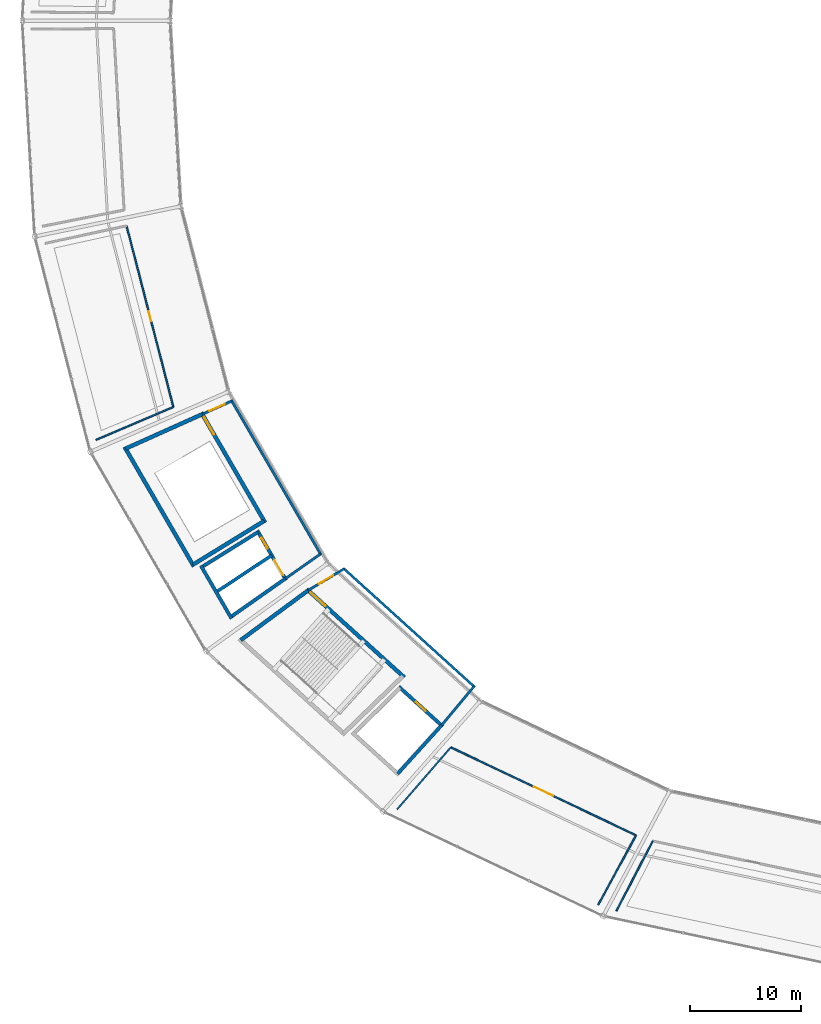
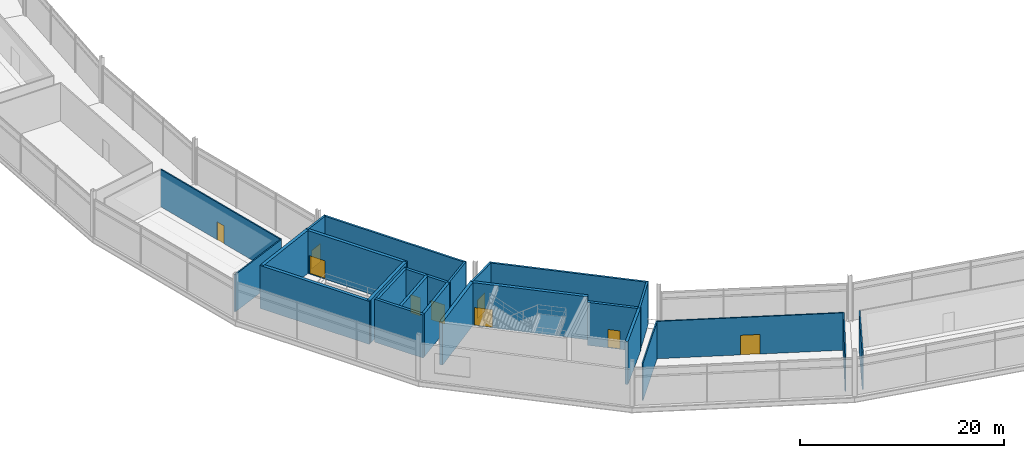
# One storey, part 67 of 86: 25 walls, 9 doors, 9 openings.
"""IFC4 building model written with IfcOpenShell, lengths in metres."""

from ifc_helpers import new_model, si_unit, direction, frame, frame_2d, origin, place, context, subcontext, project, spatial, rectangle, extrude, material, layer, layer_set, type_object, element, fill, save


model = new_model("IFC4")

# Units and contexts
model_context = context("Model", 3, precision=1e-05, world=origin(), true_north=direction((0.0, 1.0)))
body_context = subcontext(model_context, "Body", "Model", "MODEL_VIEW")
ifc_project = project(units=[si_unit("LENGTHUNIT", "METRE"), si_unit("AREAUNIT", "SQUARE_METRE"), si_unit("VOLUMEUNIT", "CUBIC_METRE"), si_unit("PLANEANGLEUNIT", "RADIAN"), si_unit("MASSUNIT", "GRAM", prefix="KILO")], contexts=[model_context])

# Site, building, storey
site_placement = place(None, origin())
site = spatial("IfcSite", under=ifc_project, at=site_placement, CompositionType="ELEMENT")
building_placement = place(site_placement, origin())
building = spatial("IfcBuilding", under=site, at=building_placement, Name="Kazemori Nagisa Stadium", CompositionType="ELEMENT")
storey_placement = place(building_placement, frame((0.0, 0.0, 31.280029296875)))
storey = spatial("IfcBuildingStorey", under=building, at=storey_placement, Name="L06", CompositionType="ELEMENT", Elevation=31.280029296875)

# Wall, opening, door
ifc_material_1 = material(Name="Concrete C40/50 (Fc42)", Category="concrete")
ifc_layer_1 = layer(ifc_material_1, 0.35009765625, Name="Concrete C40/50 (Fc42)", Category="concrete")
ifc_layer_set_1 = layer_set([ifc_layer_1], Name="Concrete C40/50 (Fc42)")
wall_type_1 = type_object("IfcWallType", Name="Wall_W-CORE-350", PredefinedType="SHEAR", material=ifc_layer_set_1)
wall_1_placement = place(storey_placement, frame((44.090087890625, 66.78759765625, 0.0), z_axis=(0.0, 0.0, 1.0), x_axis=(0.501628624814, -0.865083072755, 0.0)))
wall_1 = element("IfcWall", 1, at=wall_1_placement, inside=storey, type_object=wall_type_1, Name="Core stair front shear wall ST09 L06", PredefinedType="SHEAR", context=body_context, shape_type="SweptSolid", body=[
    extrude(rectangle(XDim=11.435302734375, YDim=0.35009765625, at=frame_2d((5.7177734375, 0.0))), origin(), (0.0, 0.0, 1.0), 5.159912109375),
])
opening_1_placement = place(wall_1_placement, frame((0.47509765625, 0.0, 0.0)))
opening_1 = element("IfcOpeningElement", 2, at=opening_1_placement, cuts=wall_1, Name="Opening D-ST-1800", PredefinedType="OPENING", context=body_context, shape_type="SweptSolid", body=[
    extrude(rectangle(XDim=1.800048828125, YDim=2.199951171875, at=frame_2d((0.89990234375, 1.10009765625))), frame((0.0, 0.18505859375, 0.0), z_axis=(0.0, -1.0, 0.0), x_axis=(1.0, 0.0, 0.0)), (0.0, 0.0, 1.0), 0.3701171875),
])
ifc_material_2 = material(Name="Galvanised steel sheet", Category="steel")
door_type_1 = type_object("IfcDoorType", Name="Door_D-ST-1800", OperationType="NOTDEFINED", PredefinedType="DOOR", material=ifc_material_2)
door_1_placement = place(opening_1_placement, frame((1.800048828125, 0.0, 0.0), z_axis=(0.0, 0.0, 1.0), x_axis=(-1.0, 0.0, 0.0)))
door_1 = element("IfcDoor", 3, at=door_1_placement, inside=storey, type_object=door_type_1, Name="Exit stair fire door ST09-L06", OperationType="SINGLE_SWING_LEFT", OverallHeight=2.199951171875, OverallWidth=1.800048828125, PredefinedType="DOOR", context=body_context, shape_type="SweptSolid", body=[
    extrude(rectangle(XDim=1.800048828125, YDim=2.199951171875, at=frame_2d((0.89990234375, 1.10009765625))), frame((0.0, 0.02490234375, 0.0), z_axis=(0.0, -1.0, 0.0), x_axis=(1.0, 0.0, 0.0)), (0.0, 0.0, 1.0), 0.050048828125),
])
fill(opening_1, door_1)

# Walls
wall_2_placement = place(storey_placement, frame((37.19775390625, 63.6953125, 0.0), z_axis=(0.0, 0.0, 1.0), x_axis=(0.501601740165, -0.865098661577, 0.0)))
element("IfcWall", 4, at=wall_2_placement, inside=storey, type_object=wall_type_1, Name="Core stair rear shear wall ST09 L06", PredefinedType="SHEAR", context=body_context, shape_type="SweptSolid", body=[
    extrude(rectangle(XDim=12.404541015625, YDim=0.35009765625, at=frame_2d((6.2021484375, 0.0))), origin(), (0.0, 0.0, 1.0), 5.159912109375),
])
wall_3_placement = place(storey_placement, frame((44.177978515625, 66.63623046875, 0.0), z_axis=(0.0, 0.0, 1.0), x_axis=(-0.912385324524, -0.409332407212, 0.0)))
element("IfcWall", 5, at=wall_3_placement, inside=storey, type_object=wall_type_1, Name="Core stair left shear wall ST09 L06", PredefinedType="SHEAR", context=body_context, shape_type="SweptSolid", body=[
    extrude(rectangle(XDim=7.554443359375, YDim=0.35009765625, at=frame_2d((3.77734375, 0.0))), origin(), (0.0, 0.0, 1.0), 5.159912109375),
])
wall_4_placement = place(storey_placement, frame((49.738525390625, 57.04638671875, 0.0), z_axis=(0.0, 0.0, 1.0), x_axis=(-0.852334575619, -0.522996913188, 0.0)))
element("IfcWall", 6, at=wall_4_placement, inside=storey, type_object=wall_type_1, Name="Core stair right shear wall ST09 L06", PredefinedType="SHEAR", context=body_context, shape_type="SweptSolid", body=[
    extrude(rectangle(XDim=7.51611328125, YDim=0.35009765625, at=frame_2d((3.758056640625, 0.0))), origin(), (0.0, 0.0, 1.0), 5.159912109375),
])

# Wall, opening, door
wall_5_placement = place(storey_placement, frame((53.561279296875, 50.927978515625, 0.0), z_axis=(0.0, 0.0, 1.0), x_axis=(0.741358227035, -0.671109513572, 0.0)))
wall_5 = element("IfcWall", 7, at=wall_5_placement, inside=storey, type_object=wall_type_1, Name="Core stair front shear wall ST03 L06", PredefinedType="SHEAR", context=body_context, shape_type="SweptSolid", body=[
    extrude(rectangle(XDim=11.82666015625, YDim=0.35009765625, at=frame_2d((5.913330078125, 0.0))), origin(), (0.0, 0.0, 1.0), 5.159912109375),
])
opening_2_placement = place(wall_5_placement, frame((0.47509765625, 0.0, 0.0)))
opening_2 = element("IfcOpeningElement", 8, at=opening_2_placement, cuts=wall_5, Name="Opening D-ST-1800", PredefinedType="OPENING", context=body_context, shape_type="SweptSolid", body=[
    extrude(rectangle(XDim=1.800048828125, YDim=2.199951171875, at=frame_2d((0.89990234375, 1.10009765625))), frame((0.0, 0.18505859375, 0.0), z_axis=(0.0, -1.0, 0.0), x_axis=(1.0, 0.0, 0.0)), (0.0, 0.0, 1.0), 0.3701171875),
])
door_2_placement = place(opening_2_placement, frame((1.800048828125, 0.0, 0.0), z_axis=(0.0, 0.0, 1.0), x_axis=(-1.0, 0.0, 0.0)))
door_2 = element("IfcDoor", 9, at=door_2_placement, inside=storey, type_object=door_type_1, Name="Exit stair fire door ST03-L06", OperationType="SINGLE_SWING_LEFT", OverallHeight=2.199951171875, OverallWidth=1.800048828125, PredefinedType="DOOR", context=body_context, shape_type="SweptSolid", body=[
    extrude(rectangle(XDim=1.800048828125, YDim=2.199951171875, at=frame_2d((0.89990234375, 1.10009765625))), frame((0.0, 0.02490234375, 0.0), z_axis=(0.0, -1.0, 0.0), x_axis=(1.0, 0.0, 0.0)), (0.0, 0.0, 1.0), 0.050048828125),
])
fill(opening_2, door_2)

# Walls
wall_6_placement = place(storey_placement, frame((53.691162109375, 50.810546875, 0.0), z_axis=(0.0, 0.0, 1.0), x_axis=(-0.804395625347, -0.594093997548, 0.0)))
element("IfcWall", 10, at=wall_6_placement, inside=storey, type_object=wall_type_1, Name="Core stair left shear wall ST03 L06", PredefinedType="SHEAR", context=body_context, shape_type="SweptSolid", body=[
    extrude(rectangle(XDim=7.5341796875, YDim=0.35009765625, at=frame_2d((3.76708984375, 0.0))), origin(), (0.0, 0.0, 1.0), 5.159912109375),
])
ifc_material_3 = material(Name="Concrete C36/45 (Fc36)", Category="concrete")
ifc_layer_2 = layer(ifc_material_3, 0.219970703125, Name="Concrete C36/45 (Fc36)", Category="concrete")
ifc_layer_set_2 = layer_set([ifc_layer_2], Name="Concrete C36/45 (Fc36)")
wall_type_2 = type_object("IfcWallType", Name="Wall_W-LOBBY-220", PredefinedType="SOLIDWALL", material=ifc_layer_set_2)
wall_7_placement = place(storey_placement, frame((46.773681640625, 67.9208984375, 0.0), z_axis=(0.0, 0.0, 1.0), x_axis=(0.501612626242, -0.865092349518, 0.0)))
element("IfcWall", 11, at=wall_7_placement, inside=storey, type_object=wall_type_2, Name="Core lobby fire wall ST09 L06", PredefinedType="SOLIDWALL", context=body_context, shape_type="SweptSolid", body=[
    extrude(rectangle(XDim=16.110107421875, YDim=0.219970703125, at=frame_2d((8.05517578125, 0.0))), origin(), (0.0, 0.0, 1.0), 5.159912109375),
])

# Wall, opening, door
wall_8_placement = place(storey_placement, frame((46.8291015625, 67.82568359375, 0.0), z_axis=(0.0, 0.0, 1.0), x_axis=(-0.912378422162, -0.409347791949, 0.0)))
wall_8 = element("IfcWall", 12, at=wall_8_placement, inside=storey, type_object=wall_type_2, Name="Core lobby left wall ST09 L06", PredefinedType="SOLIDWALL", context=body_context, shape_type="SweptSolid", body=[
    extrude(rectangle(XDim=2.90576171875, YDim=0.219970703125, at=frame_2d((1.452880859375, 0.0))), origin(), (0.0, 0.0, 1.0), 5.159912109375),
])
opening_3_placement = place(wall_8_placement, frame((0.702880859375, 0.0, 0.0)))
opening_3 = element("IfcOpeningElement", 13, at=opening_3_placement, cuts=wall_8, Name="Opening D-FFL-1500", PredefinedType="OPENING", context=body_context, shape_type="SweptSolid", body=[
    extrude(rectangle(XDim=1.5, YDim=2.199951171875, at=frame_2d((0.75, 1.10009765625))), frame((0.0, 0.119873046875, 0.0), z_axis=(0.0, -1.0, 0.0), x_axis=(1.0, 0.0, 0.0)), (0.0, 0.0, 1.0), 0.239990234375),
])
door_type_2 = type_object("IfcDoorType", Name="Door_D-FFL-1500", OperationType="NOTDEFINED", PredefinedType="DOOR", material=ifc_material_2)
door_3_placement = place(opening_3_placement, frame((1.5, 0.0, 0.0), z_axis=(0.0, 0.0, 1.0), x_axis=(-1.0, 0.0, 0.0)))
door_3 = element("IfcDoor", 14, at=door_3_placement, inside=storey, type_object=door_type_2, Name="Protected lobby fire door ST09-L06", OperationType="DOUBLE_DOOR_SINGLE_SWING", OverallHeight=2.199951171875, OverallWidth=1.5, PredefinedType="DOOR", context=body_context, shape_type="SweptSolid", body=[
    extrude(rectangle(XDim=1.5, YDim=2.199951171875, at=frame_2d((0.75, 1.10009765625))), frame((0.0, 0.02490234375, 0.0), z_axis=(0.0, -1.0, 0.0), x_axis=(1.0, 0.0, 0.0)), (0.0, 0.0, 1.0), 0.050048828125),
])
fill(opening_3, door_3)

# Walls
wall_9_placement = place(storey_placement, frame((54.799560546875, 54.0791015625, 0.0), z_axis=(0.0, 0.0, 1.0), x_axis=(-0.818225400643, -0.574897550649, 0.0)))
element("IfcWall", 15, at=wall_9_placement, inside=storey, type_object=wall_type_2, Name="Core lobby right wall ST09 L06", PredefinedType="SOLIDWALL", context=body_context, shape_type="SweptSolid", body=[
    extrude(rectangle(XDim=3.867919921875, YDim=0.219970703125, at=frame_2d((1.93408203125, 0.0))), origin(), (0.0, 0.0, 1.0), 5.159912109375),
])
wall_10_placement = place(storey_placement, frame((56.833740234375, 52.8193359375, 0.0), z_axis=(0.0, 0.0, 1.0), x_axis=(0.741351035574, -0.671117457717, 0.0)))
element("IfcWall", 16, at=wall_10_placement, inside=storey, type_object=wall_type_2, Name="Core lobby fire wall ST03 L06", PredefinedType="SOLIDWALL", context=body_context, shape_type="SweptSolid", body=[
    extrude(rectangle(XDim=15.96923828125, YDim=0.219970703125, at=frame_2d((7.984619140625, 0.0))), origin(), (0.0, 0.0, 1.0), 5.159912109375),
])

# Wall, opening, door
wall_11_placement = place(storey_placement, frame((56.915283203125, 52.74560546875, 0.0), z_axis=(0.0, 0.0, 1.0), x_axis=(-0.857424171966, -0.514610327654, 0.0)))
wall_11 = element("IfcWall", 17, at=wall_11_placement, inside=storey, type_object=wall_type_2, Name="Core lobby left wall ST03 L06", PredefinedType="SOLIDWALL", context=body_context, shape_type="SweptSolid", body=[
    extrude(rectangle(XDim=3.76025390625, YDim=0.219970703125, at=frame_2d((1.880126953125, 0.0))), origin(), (0.0, 0.0, 1.0), 5.159912109375),
])
opening_4_placement = place(wall_11_placement, frame((1.1298828125, 0.0, 0.0)))
opening_4 = element("IfcOpeningElement", 18, at=opening_4_placement, cuts=wall_11, Name="Opening D-FFL-1500", PredefinedType="OPENING", context=body_context, shape_type="SweptSolid", body=[
    extrude(rectangle(XDim=1.5, YDim=2.199951171875, at=frame_2d((0.75, 1.10009765625))), frame((0.0, 0.119873046875, 0.0), z_axis=(0.0, -1.0, 0.0), x_axis=(1.0, 0.0, 0.0)), (0.0, 0.0, 1.0), 0.239990234375),
])
door_4_placement = place(opening_4_placement, frame((1.5, 0.0, 0.0), z_axis=(0.0, 0.0, 1.0), x_axis=(-1.0, 0.0, 0.0)))
door_4 = element("IfcDoor", 19, at=door_4_placement, inside=storey, type_object=door_type_2, Name="Protected lobby fire door ST03-L06", OperationType="DOUBLE_DOOR_SINGLE_SWING", OverallHeight=2.199951171875, OverallWidth=1.5, PredefinedType="DOOR", context=body_context, shape_type="SweptSolid", body=[
    extrude(rectangle(XDim=1.5, YDim=2.199951171875, at=frame_2d((0.75, 1.10009765625))), frame((0.0, 0.02490234375, 0.0), z_axis=(0.0, -1.0, 0.0), x_axis=(1.0, 0.0, 0.0)), (0.0, 0.0, 1.0), 0.050048828125),
])
fill(opening_4, door_4)

# Wall
wall_12_placement = place(storey_placement, frame((68.591064453125, 42.176025390625, 0.0), z_axis=(0.0, 0.0, 1.0), x_axis=(-0.640759627034, -0.767741558315, 0.0)))
element("IfcWall", 20, at=wall_12_placement, inside=storey, type_object=wall_type_2, Name="Core lobby right wall ST03 L06", PredefinedType="SOLIDWALL", context=body_context, shape_type="SweptSolid", body=[
    extrude(rectangle(XDim=4.549072265625, YDim=0.219970703125, at=frame_2d((2.2744140625, 0.0))), origin(), (0.0, 0.0, 1.0), 5.159912109375),
])

# Wall, opening, door
ifc_material_4 = material(Name="Gypsum plasterboard", Category="gypsum")
ifc_layer_3 = layer(ifc_material_4, 0.139892578125, Name="Gypsum plasterboard", Category="gypsum")
ifc_layer_set_3 = layer_set([ifc_layer_3], Name="Gypsum plasterboard")
wall_type_3 = type_object("IfcWallType", Name="Wall_W-PART-140", PredefinedType="PARTITIONING", material=ifc_layer_set_3)
wall_13_placement = place(storey_placement, frame((37.37548828125, 83.56298828125, 0.0), z_axis=(0.0, 0.0, 1.0), x_axis=(0.249966328054, -0.968254529986, 0.0)))
wall_13 = element("IfcWall", 21, at=wall_13_placement, inside=storey, type_object=wall_type_3, Name="Room corridor partition L06-B16", PredefinedType="PARTITIONING", context=body_context, shape_type="SweptSolid", body=[
    extrude(rectangle(XDim=16.805908203125, YDim=0.139892578125, at=frame_2d((8.40283203125, 0.0))), origin(), (0.0, 0.0, 1.0), 4.47998046875),
])
opening_5_placement = place(wall_13_placement, frame((7.943115234375, 0.0, 0.0)))
opening_5 = element("IfcOpeningElement", 22, at=opening_5_placement, cuts=wall_13, Name="Opening D-COM-920", PredefinedType="OPENING", context=body_context, shape_type="SweptSolid", body=[
    extrude(rectangle(XDim=0.919921875, YDim=2.14990234375, at=frame_2d((0.4599609375, 1.074951171875))), frame((0.0, 0.079833984375, 0.0), z_axis=(0.0, -1.0, 0.0), x_axis=(1.0, 0.0, 0.0)), (0.0, 0.0, 1.0), 0.159912109375),
])
ifc_material_5 = material(Name="Oak timber veneer", Category="wood")
door_type_3 = type_object("IfcDoorType", Name="Door_D-COM-920", OperationType="NOTDEFINED", PredefinedType="DOOR", material=ifc_material_5)
door_5_placement = place(opening_5_placement, origin())
door_5 = element("IfcDoor", 23, at=door_5_placement, inside=storey, type_object=door_type_3, Name="Room entrance door D-COM-920 L06-B16", OperationType="SINGLE_SWING_RIGHT", OverallHeight=2.14990234375, OverallWidth=0.919921875, PredefinedType="DOOR", context=body_context, shape_type="SweptSolid", body=[
    extrude(rectangle(XDim=0.919921875, YDim=2.14990234375, at=frame_2d((0.4599609375, 1.074951171875))), frame((0.0, 0.02490234375, 0.0), z_axis=(0.0, -1.0, 0.0), x_axis=(1.0, 0.0, 0.0)), (0.0, 0.0, 1.0), 0.050048828125),
])
fill(opening_5, door_5)

# Wall
wall_14_placement = place(storey_placement, frame((41.576416015625, 67.29052734375, 0.0), z_axis=(0.0, 0.0, 1.0), x_axis=(-0.919898990597, -0.39215538642, 0.0)))
element("IfcWall", 24, at=wall_14_placement, inside=storey, type_object=wall_type_3, Name="Room radial partition L06-B16-R", PredefinedType="PARTITIONING", context=body_context, shape_type="SweptSolid", body=[
    extrude(rectangle(XDim=7.553466796875, YDim=0.139892578125, at=frame_2d((3.77685546875, 0.0))), origin(), (0.0, 0.0, 1.0), 4.47998046875),
])

# Wall, opening, door
wall_15_placement = place(storey_placement, frame((66.509033203125, 36.708251953125, 0.0), z_axis=(0.0, 0.0, 1.0), x_axis=(0.90321677741, -0.429184637429, 0.0)))
wall_15 = element("IfcWall", 25, at=wall_15_placement, inside=storey, type_object=wall_type_3, Name="Room corridor partition L06-B19", PredefinedType="PARTITIONING", context=body_context, shape_type="SweptSolid", body=[
    extrude(rectangle(XDim=18.42724609375, YDim=0.139892578125, at=frame_2d((9.213623046875, 0.0))), origin(), (0.0, 0.0, 1.0), 4.47998046875),
])
opening_6_placement = place(wall_15_placement, frame((8.263916015625, 0.0, 0.0)))
opening_6 = element("IfcOpeningElement", 26, at=opening_6_placement, cuts=wall_15, Name="Opening D-PRS-1900", PredefinedType="OPENING", context=body_context, shape_type="SweptSolid", body=[
    extrude(rectangle(XDim=1.89990234375, YDim=2.35009765625, at=frame_2d((0.949951171875, 1.175048828125))), frame((0.0, 0.079833984375, 0.0), z_axis=(0.0, -1.0, 0.0), x_axis=(1.0, 0.0, 0.0)), (0.0, 0.0, 1.0), 0.159912109375),
])
door_type_4 = type_object("IfcDoorType", Name="Door_D-PRS-1900", OperationType="NOTDEFINED", PredefinedType="DOOR", material=ifc_material_5)
door_6_placement = place(opening_6_placement, origin())
door_6 = element("IfcDoor", 27, at=door_6_placement, inside=storey, type_object=door_type_4, Name="Room entrance door D-PRS-1900 L06-B19", OperationType="DOUBLE_DOOR_SINGLE_SWING", OverallHeight=2.35009765625, OverallWidth=1.89990234375, PredefinedType="DOOR", context=body_context, shape_type="SweptSolid", body=[
    extrude(rectangle(XDim=1.89990234375, YDim=2.35009765625, at=frame_2d((0.949951171875, 1.175048828125))), frame((0.0, 0.02490234375, 0.0), z_axis=(0.0, -1.0, 0.0), x_axis=(1.0, 0.0, 0.0)), (0.0, 0.0, 1.0), 0.050048828125),
])
fill(opening_6, door_6)

# Walls
wall_16_placement = place(storey_placement, frame((66.509033203125, 36.708251953125, 0.0), z_axis=(0.0, 0.0, 1.0), x_axis=(-0.654288201841, -0.7562452968, 0.0)))
element("IfcWall", 28, at=wall_16_placement, inside=storey, type_object=wall_type_3, Name="Room radial partition L06-B19-L", PredefinedType="PARTITIONING", context=body_context, shape_type="SweptSolid", body=[
    extrude(rectangle(XDim=7.367919921875, YDim=0.139892578125, at=frame_2d((3.68408203125, 0.0))), origin(), (0.0, 0.0, 1.0), 4.47998046875),
])
wall_17_placement = place(storey_placement, frame((83.15283203125, 28.799560546875, 0.0), z_axis=(0.0, 0.0, 1.0), x_axis=(-0.47812325427, -0.878292749444, 0.0)))
element("IfcWall", 29, at=wall_17_placement, inside=storey, type_object=wall_type_3, Name="Room radial partition L06-B19-R", PredefinedType="PARTITIONING", context=body_context, shape_type="SweptSolid", body=[
    extrude(rectangle(XDim=7.112548828125, YDim=0.139892578125, at=frame_2d((3.55615234375, 0.0))), origin(), (0.0, 0.0, 1.0), 4.47998046875),
])
wall_18_placement = place(storey_placement, frame((84.657958984375, 28.290283203125, 0.0), z_axis=(0.0, 0.0, 1.0), x_axis=(-0.461466568794, -0.887157599238, 0.0)))
element("IfcWall", 30, at=wall_18_placement, inside=storey, type_object=wall_type_3, Name="Room radial partition L06-B20-L", PredefinedType="PARTITIONING", context=body_context, shape_type="SweptSolid", body=[
    extrude(rectangle(XDim=7.09033203125, YDim=0.139892578125, at=frame_2d((3.545166015625, 0.0))), origin(), (0.0, 0.0, 1.0), 4.47998046875),
])

# Wall, openings, doors
ifc_layer_4 = layer(ifc_material_1, 0.300048828125, Name="Concrete C40/50 (Fc42)", Category="concrete")
ifc_layer_set_4 = layer_set([ifc_layer_4], Name="Concrete C40/50 (Fc42)")
wall_type_4 = type_object("IfcWallType", Name="Wall_W-SHAFT-300", PredefinedType="SHEAR", material=ifc_layer_set_4)
wall_19_placement = place(storey_placement, frame((49.123046875, 56.1875, 0.0), z_axis=(0.0, 0.0, 1.0), x_axis=(0.501629534056, -0.86508254552, 0.0)))
wall_19 = element("IfcWall", 31, at=wall_19_placement, inside=storey, type_object=wall_type_4, Name="Lift shaft front wall LP7 L06", PredefinedType="SHEAR", context=body_context, shape_type="SweptSolid", body=[
    extrude(rectangle(XDim=5.157470703125, YDim=0.300048828125, at=frame_2d((2.57861328125, 0.0))), origin(), (0.0, 0.0, 1.0), 5.159912109375),
])
opening_7_placement = place(wall_19_placement, frame((0.76611328125, 0.0, 0.0)))
opening_7 = element("IfcOpeningElement", 32, at=opening_7_placement, cuts=wall_19, Name="Opening LD-PAX", PredefinedType="OPENING", context=body_context, shape_type="SweptSolid", body=[
    extrude(rectangle(XDim=1.10009765625, YDim=2.199951171875, at=frame_2d((0.550048828125, 1.10009765625))), frame((0.0, 0.159912109375, 0.0), z_axis=(0.0, -1.0, 0.0), x_axis=(1.0, 0.0, 0.0)), (0.0, 0.0, 1.0), 0.320068359375),
])
opening_8_placement = place(wall_19_placement, frame((3.0419921875, 0.0, 0.0)))
opening_8 = element("IfcOpeningElement", 33, at=opening_8_placement, cuts=wall_19, Name="Opening LD-GDS", PredefinedType="OPENING", context=body_context, shape_type="SweptSolid", body=[
    extrude(rectangle(XDim=1.60009765625, YDim=2.300048828125, at=frame_2d((0.800048828125, 1.14990234375))), frame((0.0, 0.159912109375, 0.0), z_axis=(0.0, -1.0, 0.0), x_axis=(1.0, 0.0, 0.0)), (0.0, 0.0, 1.0), 0.320068359375),
])
ifc_material_6 = material(Name="Stainless steel SUS304", Category="steel")
door_type_5 = type_object("IfcDoorType", Name="Door_LD-GDS", OperationType="SLIDING_TO_LEFT", PredefinedType="DOOR", material=ifc_material_6)
door_7_placement = place(opening_8_placement, origin())
door_7 = element("IfcDoor", 34, at=door_7_placement, inside=storey, type_object=door_type_5, Name="Lift landing door LG2-L06", OperationType="SLIDING_TO_LEFT", OverallHeight=2.300048828125, OverallWidth=1.60009765625, PredefinedType="DOOR", context=body_context, shape_type="SweptSolid", body=[
    extrude(rectangle(XDim=1.60009765625, YDim=2.300048828125, at=frame_2d((0.800048828125, 1.14990234375))), frame((0.0, 0.02490234375, 0.0), z_axis=(0.0, -1.0, 0.0), x_axis=(1.0, 0.0, 0.0)), (0.0, 0.0, 1.0), 0.050048828125),
])
fill(opening_8, door_7)
door_type_6 = type_object("IfcDoorType", Name="Door_LD-PAX", OperationType="SLIDING_TO_RIGHT", PredefinedType="DOOR", material=ifc_material_6)
door_8_placement = place(opening_7_placement, origin())
door_8 = element("IfcDoor", 35, at=door_8_placement, inside=storey, type_object=door_type_6, Name="Lift landing door LP7-L06", OperationType="SLIDING_TO_RIGHT", OverallHeight=2.199951171875, OverallWidth=1.10009765625, PredefinedType="DOOR", context=body_context, shape_type="SweptSolid", body=[
    extrude(rectangle(XDim=1.10009765625, YDim=2.199951171875, at=frame_2d((0.550048828125, 1.10009765625))), frame((0.0, 0.02490234375, 0.0), z_axis=(0.0, -1.0, 0.0), x_axis=(1.0, 0.0, 0.0)), (0.0, 0.0, 1.0), 0.050048828125),
])
fill(opening_7, door_8)

# Walls
wall_20_placement = place(storey_placement, frame((44.05029296875, 53.029541015625, 0.0), z_axis=(0.0, 0.0, 1.0), x_axis=(0.501596987756, -0.865101417103, 0.0)))
element("IfcWall", 36, at=wall_20_placement, inside=storey, type_object=wall_type_4, Name="Lift shaft B wall LP7 L06", PredefinedType="SHEAR", context=body_context, shape_type="SweptSolid", body=[
    extrude(rectangle(XDim=5.4912109375, YDim=0.300048828125, at=frame_2d((2.74560546875, 0.0))), origin(), (0.0, 0.0, 1.0), 5.159912109375),
])
wall_21_placement = place(storey_placement, frame((49.1982421875, 56.0576171875, 0.0), z_axis=(0.0, 0.0, 1.0), x_axis=(-0.848938067893, -0.528492343257, 0.0)))
element("IfcWall", 37, at=wall_21_placement, inside=storey, type_object=wall_type_4, Name="Lift shaft L wall LP7 L06", PredefinedType="SHEAR", context=body_context, shape_type="SweptSolid", body=[
    extrude(rectangle(XDim=5.975341796875, YDim=0.300048828125, at=frame_2d((2.98779296875, 0.0))), origin(), (0.0, 0.0, 1.0), 5.159912109375),
])
wall_22_placement = place(storey_placement, frame((51.634765625, 51.85546875, 0.0), z_axis=(0.0, 0.0, 1.0), x_axis=(-0.818205158105, -0.574926359851, 0.0)))
element("IfcWall", 38, at=wall_22_placement, inside=storey, type_object=wall_type_4, Name="Lift shaft R wall LP7 L06", PredefinedType="SHEAR", context=body_context, shape_type="SweptSolid", body=[
    extrude(rectangle(XDim=5.9951171875, YDim=0.300048828125, at=frame_2d((2.99755859375, 0.0))), origin(), (0.0, 0.0, 1.0), 5.159912109375),
])
wall_23_placement = place(storey_placement, frame((50.41650390625, 53.95654296875, 0.0), z_axis=(0.0, 0.0, 1.0), x_axis=(-0.833878900042, -0.551947443209, 0.0)))
element("IfcWall", 39, at=wall_23_placement, inside=storey, type_object=wall_type_4, Name="Lift shaft divider wall LP7-LG2 L06", PredefinedType="SHEAR", context=body_context, shape_type="SweptSolid", body=[
    extrude(rectangle(XDim=5.98291015625, YDim=0.300048828125, at=frame_2d((2.991455078125, 0.0))), origin(), (0.0, 0.0, 1.0), 5.159912109375),
])

# Wall, opening, door
wall_24_placement = place(storey_placement, frame((61.8369140625, 42.159423828125, 0.0), z_axis=(0.0, 0.0, 1.0), x_axis=(0.741350155641, -0.671118429736, 0.0)))
wall_24 = element("IfcWall", 40, at=wall_24_placement, inside=storey, type_object=wall_type_4, Name="Lift shaft front wall FL3 L06", PredefinedType="SHEAR", context=body_context, shape_type="SweptSolid", body=[
    extrude(rectangle(XDim=5.3291015625, YDim=0.300048828125, at=frame_2d((2.66455078125, 0.0))), origin(), (0.0, 0.0, 1.0), 5.159912109375),
])
opening_9_placement = place(wall_24_placement, frame((2.06494140625, 0.0, 0.0)))
opening_9 = element("IfcOpeningElement", 41, at=opening_9_placement, cuts=wall_24, Name="Opening LD-FF", PredefinedType="OPENING", context=body_context, shape_type="SweptSolid", body=[
    extrude(rectangle(XDim=1.199951171875, YDim=2.199951171875, at=frame_2d((0.60009765625, 1.10009765625))), frame((0.0, 0.159912109375, 0.0), z_axis=(0.0, -1.0, 0.0), x_axis=(1.0, 0.0, 0.0)), (0.0, 0.0, 1.0), 0.320068359375),
])
door_type_7 = type_object("IfcDoorType", Name="Door_LD-FF", OperationType="SLIDING_TO_LEFT", PredefinedType="DOOR", material=ifc_material_6)
door_9_placement = place(opening_9_placement, origin())
door_9 = element("IfcDoor", 42, at=door_9_placement, inside=storey, type_object=door_type_7, Name="Lift landing door FL3-L06", OperationType="SLIDING_TO_LEFT", OverallHeight=2.199951171875, OverallWidth=1.199951171875, PredefinedType="DOOR", context=body_context, shape_type="SweptSolid", body=[
    extrude(rectangle(XDim=1.199951171875, YDim=2.199951171875, at=frame_2d((0.60009765625, 1.10009765625))), frame((0.0, 0.02490234375, 0.0), z_axis=(0.0, -1.0, 0.0), x_axis=(1.0, 0.0, 0.0)), (0.0, 0.0, 1.0), 0.050048828125),
])
fill(opening_9, door_9)

# Wall
wall_25_placement = place(storey_placement, frame((65.67626953125, 38.68359375, 0.0), z_axis=(0.0, 0.0, 1.0), x_axis=(-0.67115829282, -0.741314067031, 0.0)))
element("IfcWall", 43, at=wall_25_placement, inside=storey, type_object=wall_type_4, Name="Lift shaft R wall FL3 L06", PredefinedType="SHEAR", context=body_context, shape_type="SweptSolid", body=[
    extrude(rectangle(XDim=5.87060546875, YDim=0.300048828125, at=frame_2d((2.935302734375, 0.0))), origin(), (0.0, 0.0, 1.0), 5.159912109375),
])

save(model, "model.ifc")
